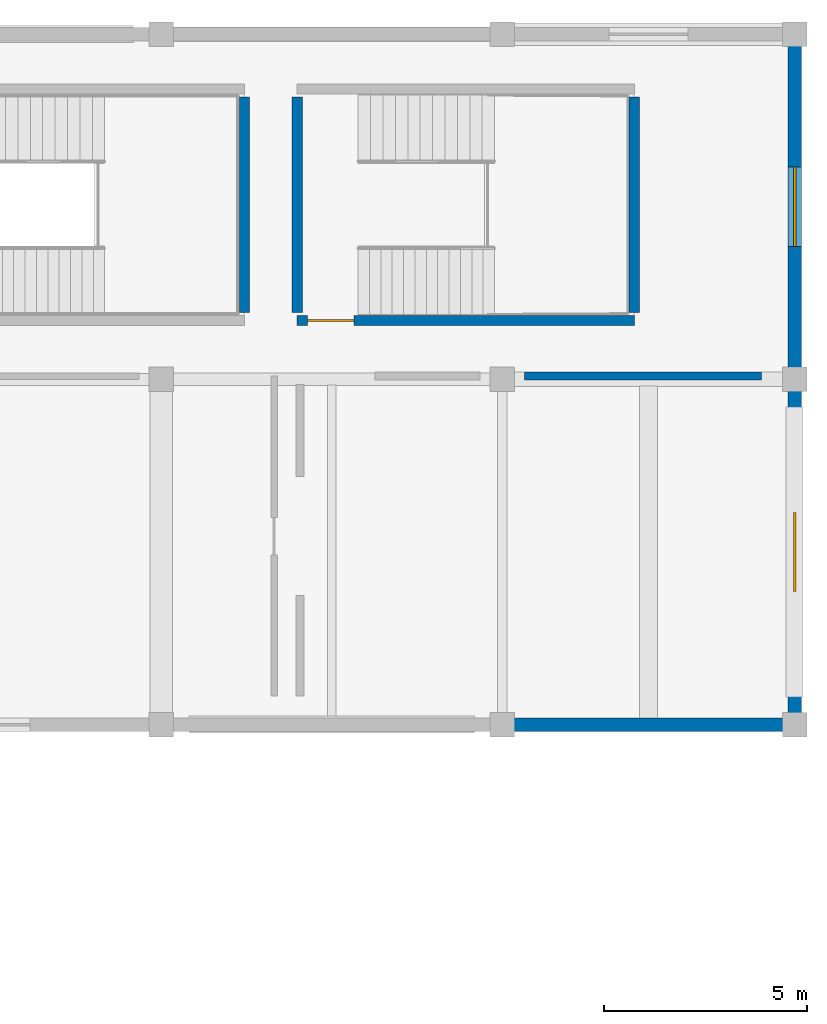
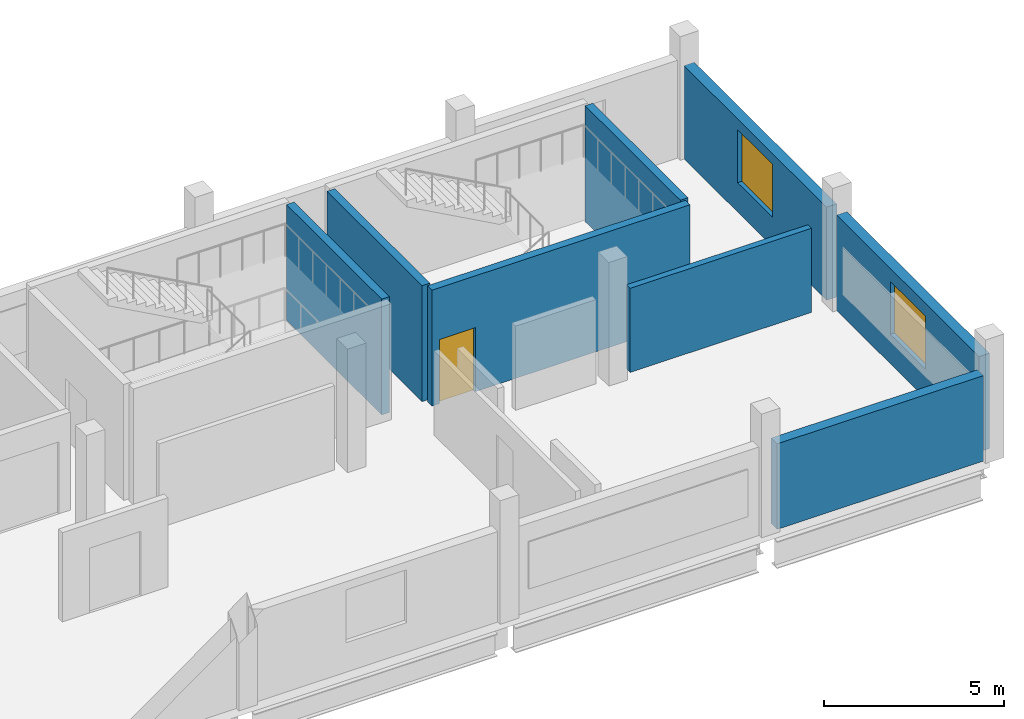
# One storey, part 45 of 52: 8 walls, 2 windows, 1 door, 3 openings.
"""IFC4 building model written with IfcOpenShell, lengths in metres."""

from ifc_helpers import new_model, si_unit, direction, frame, frame_2d, origin, place, context, subcontext, project, spatial, rectangle, extrude, material, layer, layer_set, type_object, element, fill, save


model = new_model("IFC4")

# Units and contexts
model_context = context("Model", 3, precision=1e-05, world=origin(), true_north=direction((0.0, 1.0)))
body_context = subcontext(model_context, "Body", "Model", "MODEL_VIEW")
ifc_project = project(units=[si_unit("LENGTHUNIT", "METRE"), si_unit("AREAUNIT", "SQUARE_METRE"), si_unit("VOLUMEUNIT", "CUBIC_METRE"), si_unit("PLANEANGLEUNIT", "RADIAN"), si_unit("MASSUNIT", "GRAM", prefix="KILO")], contexts=[model_context])

# Site, building, storey
site_placement = place(None, origin())
site = spatial("IfcSite", under=ifc_project, at=site_placement, CompositionType="ELEMENT")
building_placement = place(site_placement, origin())
building = spatial("IfcBuilding", under=site, at=building_placement, Name="Solvento Point Concert Hall", CompositionType="ELEMENT")
storey_placement = place(building_placement, frame((0.0, 0.0, 19.5)))
storey = spatial("IfcBuildingStorey", under=building, at=storey_placement, Name="L04", CompositionType="ELEMENT", Elevation=19.5)

# Walls
ifc_material_1 = material(Name="Acoustic Double-Stud Gypsum Partition")
ifc_layer_1 = layer(ifc_material_1, 0.199951171875)
ifc_layer_set_1 = layer_set([ifc_layer_1], Name="Acoustic Double-Stud Gypsum Partition")
wall_type_1 = type_object("IfcWallType", Name="AcousticPartition_200", PredefinedType="PARTITIONING", material=ifc_layer_set_1)
wall_1_placement = place(storey_placement, frame((209.35009765625, 127.580078125, 0.0), z_axis=(0.0, 0.0, 1.0), x_axis=(1.0, 0.0, 0.0)))
element("IfcWall", 1, at=wall_1_placement, inside=storey, type_object=wall_type_1, Name="Interior acoustic partition PW-84 L04", PredefinedType="PARTITIONING", context=body_context, shape_type="SweptSolid", body=[
    extrude(rectangle(XDim=5.829833984375, YDim=0.199951171875, at=frame_2d((2.9150390625, 0.0))), origin(), (0.0, 0.0, 1.0), 2.860107421875),
])
ifc_material_2 = material(Name="Concrete C40/50", Category="concrete")
ifc_layer_2 = layer(ifc_material_2, 0.300048828125)
ifc_layer_set_2 = layer_set([ifc_layer_2], Name="Concrete C40/50")
wall_type_2 = type_object("IfcWallType", Name="CoreShearWall_300", PredefinedType="SHEAR", material=ifc_layer_set_2)
wall_2_placement = place(storey_placement, frame((202.449951171875, 134.449951171875, 0.0), z_axis=(0.0, 0.0, 1.0), x_axis=(0.0, -1.0, 0.0)))
element("IfcWall", 2, at=wall_2_placement, inside=storey, type_object=wall_type_2, Name="Stair core shear wall W-SH1 ST-02 L04", PredefinedType="SHEAR", context=body_context, shape_type="SweptSolid", body=[
    extrude(rectangle(XDim=5.300048828125, YDim=0.25, at=frame_2d((2.64990234375, 0.0))), origin(), (0.0, 0.0, 1.0), 3.93994140625),
])

# Wall, opening, door
wall_3_placement = place(storey_placement, frame((212.050048828125, 128.949951171875, 0.0), z_axis=(0.0, 0.0, 1.0), x_axis=(-1.0, 0.0, 0.0)))
wall_3 = element("IfcWall", 3, at=wall_3_placement, inside=storey, type_object=wall_type_2, Name="Stair core shear wall W-SH1 ST-11 L04", PredefinedType="SHEAR", context=body_context, shape_type="SweptSolid", body=[
    extrude(rectangle(XDim=8.300048828125, YDim=0.25, at=frame_2d((4.14990234375, 0.0))), origin(), (0.0, 0.0, 1.0), 3.93994140625),
])
opening_1_placement = place(wall_3_placement, frame((6.89990234375, 0.0, 0.0)))
opening_1 = element("IfcOpeningElement", 4, at=opening_1_placement, cuts=wall_3, Name="Opening D-ST1", PredefinedType="OPENING", context=body_context, shape_type="SweptSolid", body=[
    extrude(rectangle(XDim=1.14990234375, YDim=2.179931640625, at=frame_2d((0.574951171875, 1.08984375))), frame((0.0, 0.135009765625, 0.0), z_axis=(0.0, -1.0, 0.0), x_axis=(1.0, 0.0, 0.0)), (0.0, 0.0, 1.0), 0.27001953125),
])
ifc_material_3 = material(Name="Hollow Metal Acoustic Fire Door")
door_type = type_object("IfcDoorType", Name="StairFireDoor_1150", OperationType="NOTDEFINED", PredefinedType="DOOR", material=ifc_material_3)
door_placement = place(opening_1_placement, origin())
door = element("IfcDoor", 5, at=door_placement, inside=storey, type_object=door_type, Name="Protected exit stair door ST-11 L04", OperationType="SINGLE_SWING_RIGHT", OverallHeight=2.179931640625, OverallWidth=1.14990234375, PredefinedType="DOOR", context=body_context, shape_type="SweptSolid", body=[
    extrude(rectangle(XDim=1.14990234375, YDim=2.179931640625, at=frame_2d((0.574951171875, 1.08984375))), frame((0.0, 0.02490234375, 0.0), z_axis=(0.0, -1.0, 0.0), x_axis=(1.0, 0.0, 0.0)), (0.0, 0.0, 1.0), 0.050048828125),
])
fill(opening_1, door)

# Walls
for number, where, z_axis, x_axis, name in (
    (6, (203.75, 129.14990234375, 0.0), (0.0, 0.0, 1.0), (0.0, 1.0, 0.0), "Stair core shear wall W-SH1 ST-11 L04"),
    (7, (212.050048828125, 134.449951171875, 0.0), (0.0, 0.0, 1.0), (0.0, -1.0, 0.0), "Stair core shear wall W-SH1 ST-11 L04"),
):
    element("IfcWall", number, at=place(storey_placement, frame(where, z_axis=z_axis, x_axis=x_axis)), inside=storey, type_object=wall_type_2, Name=name, PredefinedType="SHEAR", context=body_context, shape_type="SweptSolid", body=[
        extrude(rectangle(XDim=5.300048828125, YDim=0.25, at=frame_2d((2.64990234375, 0.0))), origin(), (0.0, 0.0, 1.0), 3.93994140625),
    ])
ifc_material_4 = material(Name="Concrete C35/45", Category="concrete")
ifc_layer_3 = layer(ifc_material_4, 0.330078125)
ifc_layer_set_3 = layer_set([ifc_layer_3], Name="Concrete C35/45")
wall_type_3 = type_object("IfcWallType", Name="ExtWall_V5_Plinth_330", PredefinedType="SOLIDWALL", material=ifc_layer_set_3)
wall_4_placement = place(storey_placement, frame((215.719970703125, 119.0, 0.0), z_axis=(0.0, 0.0, 1.0), x_axis=(-1.0, 0.0, 0.0)))
element("IfcWall", 8, at=wall_4_placement, inside=storey, type_object=wall_type_3, Name="Exterior architectural concrete wall EW-72 L04", PredefinedType="SOLIDWALL", context=body_context, shape_type="SweptSolid", body=[
    extrude(rectangle(XDim=6.639892578125, YDim=0.330078125, at=frame_2d((3.31982421875, 0.0))), origin(), (0.0, 0.0, 1.0), 2.907958984375),
])

# Wall, opening, window
wall_5_placement = place(storey_placement, frame((216.0, 127.219970703125, 0.0), z_axis=(0.0, 0.0, 1.0), x_axis=(0.0, -1.0, 0.0)))
wall_5 = element("IfcWall", 9, at=wall_5_placement, inside=storey, type_object=wall_type_3, Name="Exterior architectural concrete wall EW-72 L04", PredefinedType="SOLIDWALL", context=body_context, shape_type="SweptSolid", body=[
    extrude(rectangle(XDim=7.93994140625, YDim=0.330078125, at=frame_2d((3.969970703125, 0.0))), origin(), (0.0, 0.0, 1.0), 3.240966796875),
])
opening_2_placement = place(wall_5_placement, frame((2.9951171875, 0.0, 1.0)))
opening_2 = element("IfcOpeningElement", 10, at=opening_2_placement, cuts=wall_5, Name="Opening WN-59", PredefinedType="OPENING", context=body_context, shape_type="SweptSolid", body=[
    extrude(rectangle(XDim=1.949951171875, YDim=1.800048828125, at=frame_2d((0.97509765625, 0.89990234375))), frame((0.0, 0.175048828125, 0.0), z_axis=(0.0, -1.0, 0.0), x_axis=(1.0, 0.0, 0.0)), (0.0, 0.0, 1.0), 0.35009765625),
])
ifc_material_5 = material(Name="Hurricane Laminated Low-E Glass", Category="glass")
window_type = type_object("IfcWindowType", Name="Win_V5_Faculty_L04", PartitioningType="SINGLE_PANEL", PredefinedType="WINDOW", material=ifc_material_5)
window_1_placement = place(opening_2_placement, origin())
window_1 = element("IfcWindow", 11, at=window_1_placement, inside=storey, type_object=window_type, Name="Impact acoustic window WN-59", OverallHeight=1.800048828125, OverallWidth=1.949951171875, PartitioningType="SINGLE_PANEL", PredefinedType="WINDOW", context=body_context, shape_type="SweptSolid", body=[
    extrude(rectangle(XDim=1.949951171875, YDim=1.800048828125, at=frame_2d((0.97509765625, 0.89990234375))), frame((0.0, 0.030029296875, 0.0), z_axis=(0.0, -1.0, 0.0), x_axis=(1.0, 0.0, 0.0)), (0.0, 0.0, 1.0), 0.06005859375),
])
fill(opening_2, window_1)

wall_6_placement = place(storey_placement, frame((216.0, 135.719970703125, 0.0), z_axis=(0.0, 0.0, 1.0), x_axis=(0.0, -1.0, 0.0)))
wall_6 = element("IfcWall", 12, at=wall_6_placement, inside=storey, type_object=wall_type_3, Name="Exterior architectural concrete wall EW-72 L04", PredefinedType="SOLIDWALL", context=body_context, shape_type="SweptSolid", body=[
    extrude(rectangle(XDim=7.93994140625, YDim=0.330078125, at=frame_2d((3.969970703125, 0.0))), origin(), (0.0, 0.0, 1.0), 3.1640625),
])
opening_3_placement = place(wall_6_placement, frame((2.9951171875, 0.0, 1.0)))
opening_3 = element("IfcOpeningElement", 13, at=opening_3_placement, cuts=wall_6, Name="Opening WN-59", PredefinedType="OPENING", context=body_context, shape_type="SweptSolid", body=[
    extrude(rectangle(XDim=1.949951171875, YDim=1.800048828125, at=frame_2d((0.97509765625, 0.89990234375))), frame((0.0, 0.175048828125, 0.0), z_axis=(0.0, -1.0, 0.0), x_axis=(1.0, 0.0, 0.0)), (0.0, 0.0, 1.0), 0.35009765625),
])
window_2_placement = place(opening_3_placement, origin())
window_2 = element("IfcWindow", 14, at=window_2_placement, inside=storey, type_object=window_type, Name="Impact acoustic window WN-59", OverallHeight=1.800048828125, OverallWidth=1.949951171875, PartitioningType="SINGLE_PANEL", PredefinedType="WINDOW", context=body_context, shape_type="SweptSolid", body=[
    extrude(rectangle(XDim=1.949951171875, YDim=1.800048828125, at=frame_2d((0.97509765625, 0.89990234375))), frame((0.0, 0.030029296875, 0.0), z_axis=(0.0, -1.0, 0.0), x_axis=(1.0, 0.0, 0.0)), (0.0, 0.0, 1.0), 0.06005859375),
])
fill(opening_3, window_2)

save(model, "model.ifc")
